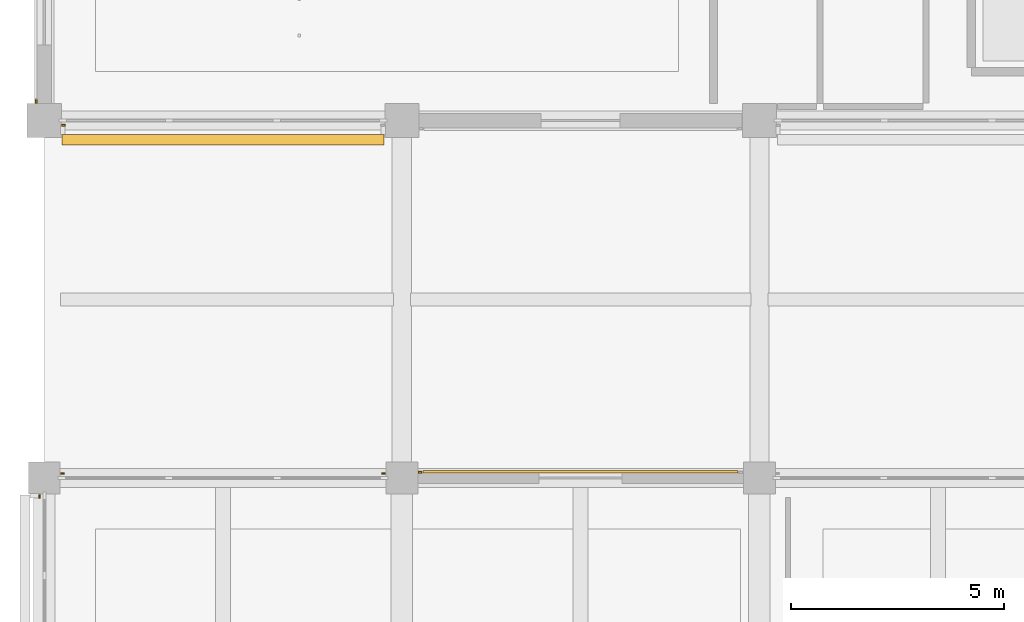
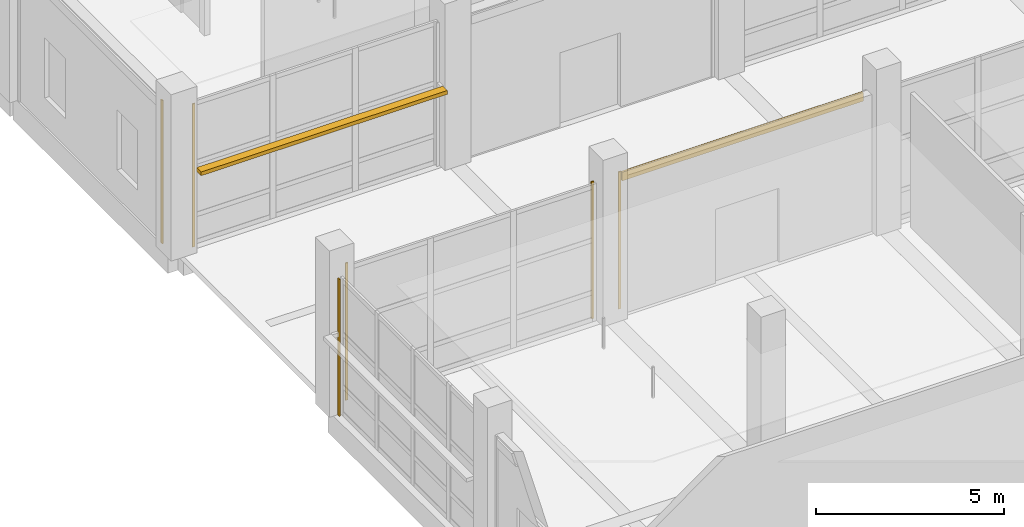
# One storey, part 124 of 140: 7 coverings, 1 shading device.
"""IFC4 building model written with IfcOpenShell, lengths in metres."""

from ifc_helpers import new_model, si_unit, direction, frame, origin, origin_2d, place, context, subcontext, project, spatial, rectangle, extrude, material, layer, layer_set, type_object, element, save


model = new_model("IFC4")

# Units and contexts
model_context = context("Model", 3, precision=1e-05, world=origin(), true_north=direction((0.0, 1.0)))
body_context = subcontext(model_context, "Body", "Model", "MODEL_VIEW")
ifc_project = project(units=[si_unit("LENGTHUNIT", "METRE"), si_unit("AREAUNIT", "SQUARE_METRE"), si_unit("VOLUMEUNIT", "CUBIC_METRE"), si_unit("PLANEANGLEUNIT", "RADIAN"), si_unit("MASSUNIT", "GRAM", prefix="KILO")], contexts=[model_context])

# Site, building, storey
site_placement = place(None, origin())
site = spatial("IfcSite", under=ifc_project, at=site_placement, CompositionType="ELEMENT")
building_placement = place(site_placement, origin())
building = spatial("IfcBuilding", under=site, at=building_placement, Name="Telukmera Botanical Conservatory", CompositionType="ELEMENT")
storey_placement = place(building_placement, origin())
storey = spatial("IfcBuildingStorey", under=building, at=storey_placement, Name="L00", CompositionType="ELEMENT", Elevation=0.0)

# Coverings
ifc_material_1 = material(Name="Granite-faced precast concrete C40/50", Category="masonry")
ifc_layer_1 = layer(ifc_material_1, 0.0400390625)
ifc_layer_set_1 = layer_set([ifc_layer_1], Name="Granite-faced precast concrete C40/50")
covering_type_1 = type_object("IfcCoveringType", Name="Granite Precast Column Pier Reveal Casing", PredefinedType="CLADDING", material=ifc_layer_set_1)
for number, where, z_axis, x_axis, name in (
    (1, (8.85205078125, 83.090087890625, 0.0), (0.0, 0.0, 1.0), (1.0, 0.0, 0.0), "Granite Pier Reveal V2:L00:S1 L"),
    (2, (8.2099609375, 83.652099609375, 0.0), (0.0, 0.0, 1.0), (0.0, 1.0, 0.0), "Granite Pier Reveal V2:L00:W1 L"),
):
    element("IfcCovering", number, at=place(storey_placement, frame(where, z_axis=z_axis, x_axis=x_axis)), inside=storey, type_object=covering_type_1, Name=name, PredefinedType="CLADDING", context=body_context, shape_type="SweptSolid", body=[
        extrude(rectangle(XDim=0.080078125, YDim=0.0400390625, at=origin_2d()), origin(), (0.0, 0.0, 1.0), 4.64990234375),
    ])
for number, where, z_axis, x_axis, name in (
    (3, (8.826904296875, 74.909912109375, 0.0), (0.0, 0.0, 1.0), (1.0, 0.0, 0.0), "Granite Pier Reveal V3:L00:N1 L"),
    (4, (16.373046875, 74.909912109375, 0.0), (0.0, 0.0, 1.0), (1.0, 0.0, 0.0), "Granite Pier Reveal V3:L00:N1 R"),
    (5, (17.22705078125, 74.93994140625, 0.0), (0.0, 0.0, 1.0), (1.0, 0.0, 0.0), "Granite Pier Reveal V3:L00:N2 L"),
    (6, (8.2900390625, 74.373046875, 0.0), (0.0, 0.0, 1.0), (0.0, 1.0, 0.0), "Granite Pier Reveal V3:L00:W7 R"),
):
    element("IfcCovering", number, at=place(storey_placement, frame(where, z_axis=z_axis, x_axis=x_axis)), inside=storey, type_object=covering_type_1, Name=name, PredefinedType="CLADDING", context=body_context, shape_type="SweptSolid", body=[
        extrude(rectangle(XDim=0.080078125, YDim=0.0400390625, at=origin_2d()), origin(), (0.0, 0.0, 1.0), 4.449951171875),
    ])

# Shading device
ifc_material_2 = material(Name="Perforated terracotta-anodised aluminium 6063-T6", Category="masonry")
ifc_layer_2 = layer(ifc_material_2, 0.044921875)
ifc_layer_set_2 = layer_set([ifc_layer_2], Name="Perforated terracotta-anodised aluminium 6063-T6")
shading_device_type = type_object("IfcShadingDeviceType", Name="Perforated Terracotta Aluminium Monsoon Brise Soleil", PredefinedType="JALOUSIE", material=ifc_layer_set_2)
shading_device_placement = place(storey_placement, frame((12.60009765625, 82.75, 2.58984375), z_axis=(0.0, 0.0, 1.0), x_axis=(1.0, 0.0, 0.0)))
element("IfcShadingDevice", 7, at=shading_device_placement, inside=storey, type_object=shading_device_type, Name="Monsoon Shading BS01 V2:L00:S1", PredefinedType="JALOUSIE", context=body_context, shape_type="SweptSolid", body=[
    extrude(rectangle(XDim=7.555908203125, YDim=0.239990234375, at=origin_2d()), origin(), (0.0, 0.0, 1.0), 0.1201171875),
])

# Covering
ifc_material_3 = material(Name="Terracotta-faced precast concrete C40/50", Category="masonry")
ifc_layer_3 = layer(ifc_material_3, 0.06005859375)
ifc_layer_set_3 = layer_set([ifc_layer_3], Name="Terracotta-faced precast concrete C40/50")
covering_type_2 = type_object("IfcCoveringType", Name="Polychrome Terracotta Facade Band Cladding", PredefinedType="CLADDING", material=ifc_layer_set_3)
covering_placement = place(storey_placement, frame((21.0, 74.949951171875, 4.1298828125), z_axis=(0.0, 0.0, 1.0), x_axis=(1.0, 0.0, 0.0)))
element("IfcCovering", 8, at=covering_placement, inside=storey, type_object=covering_type_2, Name="Polychrome Terracotta Band V3:L00:N2", PredefinedType="CLADDING", context=body_context, shape_type="SweptSolid", body=[
    extrude(rectangle(XDim=7.406005859375, YDim=0.06005859375, at=origin_2d()), origin(), (0.0, 0.0, 1.0), 0.280029296875),
])

save(model, "model.ifc")
